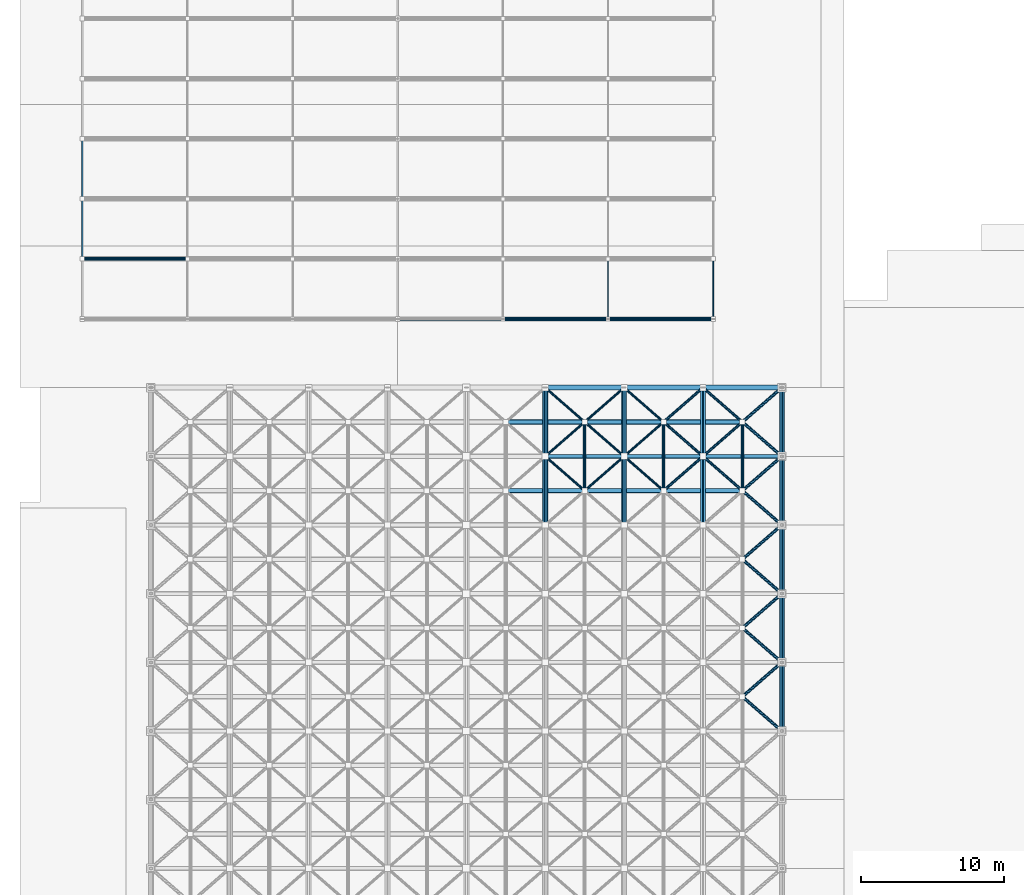
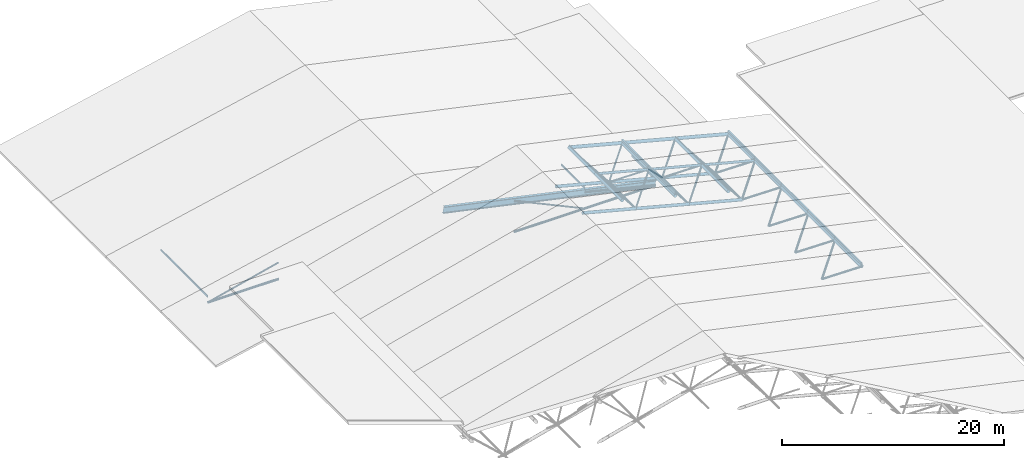
# One storey, part 13 of 60: 72 members, 1 beam.
"""IFC4 building model written with IfcOpenShell, lengths in metres."""

import ifcopenshell
import ifcopenshell.guid

model = None  # the IFC model being written
_history = None  # IfcOwnerHistory: only IFC2X3 demands one
_inside = {}  # id of a spatial element -> (the spatial element, [elements in it])
_under = {}  # id of a project, library or spatial element -> (it, [spatial elements below it])
_declared = {}  # id of a project -> (the project, [libraries it declares])
_typed = {}  # id of a type object -> (the type object, [elements of that type])
_made_of = {}  # id of a material, layer set ... -> (it, [elements and type objects made of it])


def new_model(schema):
    """Start an empty IFC model of exactly this schema.

    Asked for "IFC4X3", IfcOpenShell would pick the latest addendum, in which some entities
    have other attributes; the version numbers below select the first issue.
    IFC2X3 requires an IfcOwnerHistory on every rooted entity: one is made here for all.
    """
    global model, _history
    if schema == "IFC4X3":
        model = ifcopenshell.file(schema_version=(4, 3, 0, 0))
    else:
        model = ifcopenshell.file(schema=schema)
    _inside.clear()
    _under.clear()
    _declared.clear()
    _typed.clear()
    _made_of.clear()
    _history = None
    if model.schema == "IFC2X3":
        org = make("IfcOrganization", Name="unknown")
        user = make(
            "IfcPersonAndOrganization",
            ThePerson=make("IfcPerson", FamilyName="unknown"),
            TheOrganization=org,
        )
        app = make(
            "IfcApplication",
            ApplicationDeveloper=org,
            Version="unknown",
            ApplicationFullName="unknown",
            ApplicationIdentifier="unknown",
        )
        _history = make(
            "IfcOwnerHistory",
            OwningUser=user,
            OwningApplication=app,
            ChangeAction="ADDED",
            CreationDate=0,
        )
    return model


def make(cls, **values):
    """One entity of the class cls with the attributes given. An attribute that is None is left unset."""
    return model.create_entity(
        cls, **{name: value for name, value in values.items() if value is not None}
    )


def rooted(cls, **values):
    """An entity with a GlobalId (a new one), such as an element, a storey or a relation."""
    return make(cls, GlobalId=ifcopenshell.guid.new(), OwnerHistory=_history, **values)


def si_unit(unit_type, name, prefix=None):
    """IfcSIUnit, for example si_unit("LENGTHUNIT", "METRE", prefix="MILLI")."""
    return make("IfcSIUnit", UnitType=unit_type, Prefix=prefix, Name=name)


def assignment(units):
    """IfcUnitAssignment: the units of a project."""
    return None if units is None else make("IfcUnitAssignment", Units=units)


def point(xyz):
    """IfcCartesianPoint."""
    return None if xyz is None else make("IfcCartesianPoint", Coordinates=xyz)


def direction(xyz):
    """IfcDirection."""
    return None if xyz is None else make("IfcDirection", DirectionRatios=xyz)


def frame(location, z_axis=None, x_axis=None):
    """IfcAxis2Placement3D, a coordinate frame: its origin and axes. An axis left out is left unset."""
    return make(
        "IfcAxis2Placement3D",
        Location=point(location),
        Axis=direction(z_axis),
        RefDirection=direction(x_axis),
    )


def frame_2d(location, x_axis=None):
    """IfcAxis2Placement2D, a coordinate frame in the plane: its origin and x axis."""
    return make(
        "IfcAxis2Placement2D", Location=point(location), RefDirection=direction(x_axis)
    )


def origin():
    """The frame at (0, 0, 0) with its axes left unset."""
    return frame((0.0, 0.0, 0.0))


def origin_2d():
    """The frame at (0, 0) in the plane with its x axis left unset."""
    return frame_2d((0.0, 0.0))


def place(relative_to, where):
    """IfcLocalPlacement: puts the frame where relative to a parent placement (None: the world)."""
    return make(
        "IfcLocalPlacement", PlacementRelTo=relative_to, RelativePlacement=where
    )


def context(
    kind, dimensions, precision=None, world=None, true_north=None, identifier=None
):
    """IfcGeometricRepresentationContext, for example the 3D "Model" context."""
    return make(
        "IfcGeometricRepresentationContext",
        ContextIdentifier=identifier,
        ContextType=kind,
        CoordinateSpaceDimension=dimensions,
        Precision=precision,
        WorldCoordinateSystem=world,
        TrueNorth=true_north,
    )


def subcontext(parent, identifier, kind, view, scale=None):
    """IfcGeometricRepresentationSubContext, for example "Body" below "Model"."""
    return make(
        "IfcGeometricRepresentationSubContext",
        ContextIdentifier=identifier,
        ContextType=kind,
        ParentContext=parent,
        TargetScale=scale,
        TargetView=view,
    )


def project(units=None, contexts=None):
    """IfcProject with its units and contexts."""
    return rooted(
        "IfcProject",
        Name="project",
        RepresentationContexts=contexts,
        UnitsInContext=assignment(units),
    )


def spatial(cls, under=None, at=None, **own):
    """A site, building, storey or space (cls), placed at a placement, below another one or the project."""
    s = rooted(cls, ObjectPlacement=at, **own)
    if under is not None:
        _under.setdefault(under.id(), (under, []))[1].append(s)
    return s


def profile(cls, at=None, kind="AREA", **sizes):
    """A parametric profile (cls). Its sizes go by their IFC names, for example OverallWidth=200.0."""
    return make(cls, ProfileType=kind, Position=at, **sizes)


def hollow_rectangle(**sizes):
    """IfcRectangleHollowProfileDef."""
    return profile("IfcRectangleHollowProfileDef", **sizes)


def hollow_circle(**sizes):
    """IfcCircleHollowProfileDef."""
    return profile("IfcCircleHollowProfileDef", **sizes)


def i_section(**sizes):
    """IfcIShapeProfileDef."""
    return profile("IfcIShapeProfileDef", **sizes)


def extrude(swept, where, along, depth):
    """IfcExtrudedAreaSolid: the profile swept, set in the frame where, extruded along a direction by depth."""
    return make(
        "IfcExtrudedAreaSolid",
        SweptArea=swept,
        Position=where,
        ExtrudedDirection=direction(along),
        Depth=depth,
    )


def shape(context_of_items, identifier, shape_type, items):
    """IfcShapeRepresentation: the items that make up one representation, for example the "Body"."""
    return make(
        "IfcShapeRepresentation",
        ContextOfItems=context_of_items,
        RepresentationIdentifier=identifier,
        RepresentationType=shape_type,
        Items=items,
    )


def material(Name=None, Category=None):
    """IfcMaterial."""
    return make("IfcMaterial", Name=Name, Category=Category)


def material_profile(
    of_material, cross_section, Name=None, Category=None, Priority=None
):
    """IfcMaterialProfile: a cross section and its material."""
    return make(
        "IfcMaterialProfile",
        Name=Name,
        Material=of_material,
        Profile=cross_section,
        Priority=Priority,
        Category=Category,
    )


def profile_set(profiles, Name=None, composite=None):
    """IfcMaterialProfileSet."""
    return make(
        "IfcMaterialProfileSet",
        Name=Name,
        MaterialProfiles=profiles,
        CompositeProfile=composite,
    )


def made_of(thing, what):
    """Note that an element or type object is made of a material, layer set ...; save() writes the relation."""
    if what is not None:
        _made_of.setdefault(what.id(), (what, []))[1].append(thing)
    return thing


def type_object(cls, material=None, **own):
    """A type object (cls), such as IfcWallType, which elements share."""
    return made_of(rooted(cls, **own), material)


def element(
    cls,
    number,
    at=None,
    inside=None,
    cuts=None,
    type_object=None,
    material=None,
    context=None,
    identifier="Body",
    shape_type=None,
    held_by="IfcProductDefinitionShape",
    body=None,
    shapes=None,
    **own,
):
    """One element of the class cls, such as IfcWall. Its Tag is "e" and its number.

    at: its placement. inside: the storey or other place that contains it. cuts: it is an
    opening in that element (IfcRelVoidsElement). A single representation is given by context,
    identifier, shape_type and body (its items); several are given by shapes. held_by: the class
    of the entity that holds the representations. save() writes the other relations.
    """
    e = rooted(cls, Tag="e%d" % number, ObjectPlacement=at, **own)
    if body is not None:
        shapes = [shape(context, identifier, shape_type, body)]
    if shapes is not None:
        e.Representation = make(held_by, Representations=shapes)
    if inside is not None:
        _inside.setdefault(inside.id(), (inside, []))[1].append(e)
    if cuts is not None:
        rooted(
            "IfcRelVoidsElement", RelatingBuildingElement=cuts, RelatedOpeningElement=e
        )
    if type_object is not None:
        _typed.setdefault(type_object.id(), (type_object, []))[1].append(e)
    return made_of(e, material)


def aggregate(whole, parts):
    """IfcRelAggregates: a whole, such as a stair, and the parts it consists of."""
    return rooted("IfcRelAggregates", RelatingObject=whole, RelatedObjects=parts)


def save(model, path):
    """Write the relations noted so far, then the file.

    IfcRelAggregates (storeys below a building ...), IfcRelContainedInSpatialStructure (elements
    in a storey), IfcRelDefinesByType, IfcRelAssociatesMaterial and IfcRelDeclares: one each for
    every whole, place, type object, material and project.
    """
    for whole, parts in _under.values():
        aggregate(whole, parts)
    for where, things in _inside.values():
        rooted(
            "IfcRelContainedInSpatialStructure",
            RelatedElements=things,
            RelatingStructure=where,
        )
    for kind, things in _typed.values():
        rooted("IfcRelDefinesByType", RelatedObjects=things, RelatingType=kind)
    for what, things in _made_of.values():
        rooted("IfcRelAssociatesMaterial", RelatedObjects=things, RelatingMaterial=what)
    for by, libraries in _declared.values():
        rooted("IfcRelDeclares", RelatingContext=by, RelatedDefinitions=libraries)
    model.write(path)


model = new_model("IFC4")

# Units and contexts
model_context = context("Model", 3, precision=1e-05, world=origin(), true_north=direction((0.0, 1.0)))
body_context = subcontext(model_context, "Body", "Model", "MODEL_VIEW")
ifc_project = project(units=[si_unit("LENGTHUNIT", "METRE"), si_unit("AREAUNIT", "SQUARE_METRE"), si_unit("VOLUMEUNIT", "CUBIC_METRE"), si_unit("PLANEANGLEUNIT", "RADIAN"), si_unit("MASSUNIT", "GRAM", prefix="KILO")], contexts=[model_context])

# Site, building, storey
site_placement = place(None, origin())
site = spatial("IfcSite", under=ifc_project, at=site_placement, CompositionType="ELEMENT")
building_placement = place(site_placement, origin())
building = spatial("IfcBuilding", under=site, at=building_placement, Name="Nakhvara Creek Congress Hotel", CompositionType="ELEMENT")
storey_placement = place(building_placement, frame((0.0, 0.0, 54.60009765625)))
storey = spatial("IfcBuildingStorey", under=building, at=storey_placement, Name="RL1", CompositionType="ELEMENT", Elevation=54.60009765625)

# Beam
ifc_material_1 = material(Name="Steel S355J2", Category="steel")
ifc_material_profile_1 = material_profile(ifc_material_1, i_section(OverallWidth=0.300048828125, OverallDepth=0.699951171875, WebThickness=0.01708984375, FlangeThickness=0.031982421875, FilletRadius=0.027099609375, at=origin_2d()), Name="HEB 700", Category="LoadBearing")
ifc_profile_set_1 = profile_set([ifc_material_profile_1], Name="Steel S355J2")
beam_type = type_object("IfcBeamType", Name="BM-ST-HEB700", PredefinedType="BEAM", material=ifc_profile_set_1)
beam_placement = place(storey_placement, frame((26.39990234375, 91.199951171875, -36.880126953125), z_axis=(0.977115981717, 0.0, -0.212707212557), x_axis=(0.0, 1.0, 0.0)))
element("IfcBeam", 1, at=beam_placement, inside=storey, type_object=beam_type, Name="Ballroom Roof Truss East Rafter 01", PredefinedType="BEAM", context=body_context, shape_type="SweptSolid", body=[
    extrude(i_section(OverallWidth=0.300048828125, OverallDepth=0.699951171875, WebThickness=0.01708984375, FlangeThickness=0.031982421875, FilletRadius=0.027099609375, at=origin_2d()), origin(), (0.0, 0.0, 1.0), 22.56640625),
])

# Members
ifc_material_2 = material(Name="Steel S355J2H", Category="steel")
ifc_material_profile_2 = material_profile(ifc_material_2, hollow_circle(Radius=0.084228515625, WallThickness=0.008056640625, at=origin_2d()), Name="CHS 168.3x8.0", Category="LoadBearing")
ifc_profile_set_2 = profile_set([ifc_material_profile_2], Name="Steel S355J2H")
member_type_1 = type_object("IfcMemberType", Name="MEM-BRC-CHS168", PredefinedType="BRACE", material=ifc_profile_set_2)
member_1_placement = place(storey_placement, frame((41.10009765625, 91.199951171875, -41.89013671875), z_axis=(-0.907121554774, 0.0, 0.420868726403), x_axis=(0.0, -1.0, 0.0)))
element("IfcMember", 2, at=member_1_placement, inside=storey, type_object=member_type_1, Name="Ballroom Roof Truss Web Brace 01.5", PredefinedType="BRACE", context=body_context, shape_type="SweptSolid", body=[
    extrude(hollow_circle(Radius=0.084228515625, WallThickness=0.008056640625, at=origin_2d()), origin(), (0.0, 0.0, 1.0), 8.1025390625),
])
for number, where, z_axis, x_axis, name in (
    (3, (48.449951171875, 91.199951171875, -41.89013671875), (-0.970988385027, 0.0, 0.239126652934), (0.0, -1.0, 0.0), "Ballroom Roof Truss Web Brace 01.6"),
    (4, (4.35009765625, 95.39990234375, -41.89013671875), (0.970988385027, 0.0, 0.239126652934), (0.0, 1.0, 0.0), "Ballroom Roof Truss Web Brace 02.1"),
):
    element("IfcMember", number, at=place(storey_placement, frame(where, z_axis=z_axis, x_axis=x_axis)), inside=storey, type_object=member_type_1, Name=name, PredefinedType="BRACE", context=body_context, shape_type="SweptSolid", body=[
        extrude(hollow_circle(Radius=0.084228515625, WallThickness=0.008056640625, at=origin_2d()), origin(), (0.0, 0.0, 1.0), 7.5693359375),
    ])
ifc_material_profile_3 = material_profile(ifc_material_2, hollow_circle(Radius=0.084228515625, WallThickness=0.010009765625, at=origin_2d()), Name="CHS 168.3x10.0", Category="LoadBearing")
ifc_profile_set_3 = profile_set([ifc_material_profile_3], Name="Steel S355J2H")
member_type_2 = type_object("IfcMemberType", Name="MEM-BRC-CHS168H", PredefinedType="BRACE", material=ifc_profile_set_3)
member_2_placement = place(storey_placement, frame((39.46875, 79.199951171875, -34.050048828125), z_axis=(-0.558223547657, 0.486084649868, 0.672389904746), x_axis=(-0.656696195101, -0.754155227616, 0.0)))
element("IfcMember", 5, at=member_2_placement, inside=storey, type_object=member_type_2, Name="Congress Space Frame Web Diagonal 0653", PredefinedType="BRACE", context=body_context, shape_type="SweptSolid", body=[
    extrude(hollow_circle(Radius=0.084228515625, WallThickness=0.010009765625, at=origin_2d()), origin(), (0.0, 0.0, 1.0), 4.937744140625),
])
member_3_placement = place(storey_placement, frame((39.46875, 79.199951171875, -34.050048828125), z_axis=(0.670643902083, 0.583976988608, 0.45739220957), x_axis=(-0.656696195101, 0.754155227616, 0.0)))
element("IfcMember", 6, at=member_3_placement, inside=storey, type_object=member_type_2, Name="Congress Space Frame Web Diagonal 0654", PredefinedType="BRACE", context=body_context, shape_type="SweptSolid", body=[
    extrude(hollow_circle(Radius=0.084228515625, WallThickness=0.010009765625, at=origin_2d()), origin(), (0.0, 0.0, 1.0), 4.110107421875),
])
for number, where, z_axis, x_axis, name in (
    (7, (44.981201171875, 79.199951171875, -35.489990234375), (-0.558208068284, 0.486114227947, 0.672381372355), (-0.656729278158, -0.754126418587, 0.0), "Congress Space Frame Web Diagonal 0659"),
    (8, (39.46875, 84.0, -34.050048828125), (-0.558236963804, -0.486046886997, 0.672406064728), (0.656658200939, -0.754188310132, 0.0), "Congress Space Frame Web Diagonal 0692"),
):
    element("IfcMember", number, at=place(storey_placement, frame(where, z_axis=z_axis, x_axis=x_axis)), inside=storey, type_object=member_type_2, Name=name, PredefinedType="BRACE", context=body_context, shape_type="SweptSolid", body=[
        extrude(hollow_circle(Radius=0.084228515625, WallThickness=0.010009765625, at=origin_2d()), origin(), (0.0, 0.0, 1.0), 4.9375),
    ])
member_4_placement = place(storey_placement, frame((39.46875, 84.0, -34.050048828125), z_axis=(0.670667166184, -0.583937842656, 0.457408076139), x_axis=(0.656658200939, 0.754188310132, 0.0)))
element("IfcMember", 9, at=member_4_placement, inside=storey, type_object=member_type_2, Name="Congress Space Frame Web Diagonal 0693", PredefinedType="BRACE", context=body_context, shape_type="SweptSolid", body=[
    extrude(hollow_circle(Radius=0.084228515625, WallThickness=0.010009765625, at=origin_2d()), origin(), (0.0, 0.0, 1.0), 4.10986328125),
])
member_5_placement = place(storey_placement, frame((39.46875, 84.0, -34.050048828125), z_axis=(-0.558236963804, 0.486046886997, 0.672406064728), x_axis=(-0.656658200939, -0.754188310132, 0.0)))
element("IfcMember", 10, at=member_5_placement, inside=storey, type_object=member_type_2, Name="Congress Space Frame Web Diagonal 0694", PredefinedType="BRACE", context=body_context, shape_type="SweptSolid", body=[
    extrude(hollow_circle(Radius=0.084228515625, WallThickness=0.010009765625, at=origin_2d()), origin(), (0.0, 0.0, 1.0), 4.9375),
])
member_6_placement = place(storey_placement, frame((39.46875, 84.0, -34.050048828125), z_axis=(0.670667166184, 0.583937842656, 0.457408076139), x_axis=(-0.656658200939, 0.754188310132, 0.0)))
element("IfcMember", 11, at=member_6_placement, inside=storey, type_object=member_type_2, Name="Congress Space Frame Web Diagonal 0695", PredefinedType="BRACE", context=body_context, shape_type="SweptSolid", body=[
    extrude(hollow_circle(Radius=0.084228515625, WallThickness=0.010009765625, at=origin_2d()), origin(), (0.0, 0.0, 1.0), 4.10986328125),
])
for number, where, z_axis, x_axis, name in (
    (12, (44.981201171875, 84.0, -35.489990234375), (-0.558221485692, -0.4860764642, 0.672397534099), (0.656691284984, -0.754159503173, 0.0), "Congress Space Frame Web Diagonal 0697"),
    (13, (44.981201171875, 84.0, -35.489990234375), (-0.558221485692, 0.4860764642, 0.672397534099), (-0.656691284984, -0.754159503173, 0.0), "Congress Space Frame Web Diagonal 0699"),
):
    element("IfcMember", number, at=place(storey_placement, frame(where, z_axis=z_axis, x_axis=x_axis)), inside=storey, type_object=member_type_2, Name=name, PredefinedType="BRACE", context=body_context, shape_type="SweptSolid", body=[
        extrude(hollow_circle(Radius=0.084228515625, WallThickness=0.010009765625, at=origin_2d()), origin(), (0.0, 0.0, 1.0), 4.937255859375),
    ])
ifc_material_profile_4 = material_profile(ifc_material_2, hollow_circle(Radius=0.096923828125, WallThickness=0.010009765625, at=origin_2d()), Name="CHS 193.7x10.0", Category="LoadBearing")
ifc_profile_set_4 = profile_set([ifc_material_profile_4], Name="Steel S355J2H")
member_type_3 = type_object("IfcMemberType", Name="MEM-BRC-CHS193", PredefinedType="BRACE", material=ifc_profile_set_4)
member_7_placement = place(storey_placement, frame((44.981201171875, 79.199951171875, -35.489990234375), z_axis=(0.670643902083, 0.583976988608, 0.45739220957), x_axis=(-0.656696195101, 0.754155227616, 0.0)))
element("IfcMember", 14, at=member_7_placement, inside=storey, type_object=member_type_3, Name="Congress Space Frame Web Diagonal 0660", PredefinedType="BRACE", context=body_context, shape_type="SweptSolid", body=[
    extrude(hollow_circle(Radius=0.096923828125, WallThickness=0.010009765625, at=origin_2d()), origin(), (0.0, 0.0, 1.0), 4.110107421875),
])
member_8_placement = place(storey_placement, frame((50.49365234375, 79.199951171875, -36.93017578125), z_axis=(-0.558189509619, 0.486098066176, 0.672408463221), x_axis=(-0.656729278158, -0.754126418587, 0.0)))
element("IfcMember", 15, at=member_8_placement, inside=storey, type_object=member_type_3, Name="Congress Space Frame Web Diagonal 0664", PredefinedType="BRACE", context=body_context, shape_type="SweptSolid", body=[
    extrude(hollow_circle(Radius=0.096923828125, WallThickness=0.010009765625, at=origin_2d()), origin(), (0.0, 0.0, 1.0), 4.9375),
])
for number, where, z_axis, x_axis, name in (
    (16, (44.981201171875, 84.0, -35.489990234375), (0.670667166184, -0.583937842656, 0.457408076139), (0.656658200939, 0.754188310132, 0.0), "Congress Space Frame Web Diagonal 0698"),
    (17, (44.981201171875, 84.0, -35.489990234375), (0.670667166184, 0.583937842656, 0.457408076139), (-0.656658200939, 0.754188310132, 0.0), "Congress Space Frame Web Diagonal 0700"),
):
    element("IfcMember", number, at=place(storey_placement, frame(where, z_axis=z_axis, x_axis=x_axis)), inside=storey, type_object=member_type_3, Name=name, PredefinedType="BRACE", context=body_context, shape_type="SweptSolid", body=[
        extrude(hollow_circle(Radius=0.096923828125, WallThickness=0.010009765625, at=origin_2d()), origin(), (0.0, 0.0, 1.0), 4.10986328125),
    ])
for number, where, z_axis, x_axis, name in (
    (18, (50.49365234375, 84.0, -36.93017578125), (-0.558202925689, -0.486060302908, 0.672424624541), (0.656691284984, -0.754159503173, 0.0), "Congress Space Frame Web Diagonal 0701"),
    (19, (50.49365234375, 84.0, -36.93017578125), (-0.558202925689, 0.486060302908, 0.672424624541), (-0.656691284984, -0.754159503173, 0.0), "Congress Space Frame Web Diagonal 0703"),
):
    element("IfcMember", number, at=place(storey_placement, frame(where, z_axis=z_axis, x_axis=x_axis)), inside=storey, type_object=member_type_3, Name=name, PredefinedType="BRACE", context=body_context, shape_type="SweptSolid", body=[
        extrude(hollow_circle(Radius=0.096923828125, WallThickness=0.010009765625, at=origin_2d()), origin(), (0.0, 0.0, 1.0), 4.9375),
    ])
ifc_material_profile_5 = material_profile(ifc_material_2, hollow_circle(Radius=0.109619140625, WallThickness=0.010009765625, at=origin_2d()), Name="CHS 219.1x10.0", Category="LoadBearing")
ifc_profile_set_5 = profile_set([ifc_material_profile_5], Name="Steel S355J2H")
member_type_4 = type_object("IfcMemberType", Name="MEM-BRC-CHS219", PredefinedType="BRACE", material=ifc_profile_set_5)
member_9_placement = place(storey_placement, frame((50.49365234375, 64.800048828125, -36.93017578125), z_axis=(0.670625680367, -0.583961121673, 0.457439181976), x_axis=(0.656696195101, 0.754155227616, 0.0)))
element("IfcMember", 20, at=member_9_placement, inside=storey, type_object=member_type_4, Name="Congress Space Frame Web Diagonal 0522", PredefinedType="BRACE", context=body_context, shape_type="SweptSolid", body=[
    extrude(hollow_circle(Radius=0.109619140625, WallThickness=0.010009765625, at=origin_2d()), origin(), (0.0, 0.0, 1.0), 4.110107421875),
])
member_10_placement = place(storey_placement, frame((50.49365234375, 64.800048828125, -36.93017578125), z_axis=(0.670648942571, 0.583921975684, 0.457455049313), x_axis=(-0.656658200939, 0.754188310132, 0.0)))
element("IfcMember", 21, at=member_10_placement, inside=storey, type_object=member_type_4, Name="Congress Space Frame Web Diagonal 0524", PredefinedType="BRACE", context=body_context, shape_type="SweptSolid", body=[
    extrude(hollow_circle(Radius=0.109619140625, WallThickness=0.010009765625, at=origin_2d()), origin(), (0.0, 0.0, 1.0), 4.10986328125),
])
member_11_placement = place(storey_placement, frame((50.49365234375, 69.60009765625, -36.93017578125), z_axis=(0.670625680367, -0.583961121673, 0.457439181976), x_axis=(0.656696195101, 0.754155227616, 0.0)))
element("IfcMember", 22, at=member_11_placement, inside=storey, type_object=member_type_4, Name="Congress Space Frame Web Diagonal 0569", PredefinedType="BRACE", context=body_context, shape_type="SweptSolid", body=[
    extrude(hollow_circle(Radius=0.109619140625, WallThickness=0.010009765625, at=origin_2d()), origin(), (0.0, 0.0, 1.0), 4.110107421875),
])
for number, where, z_axis, x_axis, name in (
    (23, (50.49365234375, 69.60009765625, -36.93017578125), (0.670648942571, 0.583921975684, 0.457455049313), (-0.656658200939, 0.754188310132, 0.0), "Congress Space Frame Web Diagonal 0571"),
    (24, (50.49365234375, 74.39990234375, -36.93017578125), (0.670648942571, -0.583921975684, 0.457455049313), (0.656658200939, 0.754188310132, 0.0), "Congress Space Frame Web Diagonal 0616"),
):
    element("IfcMember", number, at=place(storey_placement, frame(where, z_axis=z_axis, x_axis=x_axis)), inside=storey, type_object=member_type_4, Name=name, PredefinedType="BRACE", context=body_context, shape_type="SweptSolid", body=[
        extrude(hollow_circle(Radius=0.109619140625, WallThickness=0.010009765625, at=origin_2d()), origin(), (0.0, 0.0, 1.0), 4.10986328125),
    ])
member_12_placement = place(storey_placement, frame((50.49365234375, 74.39990234375, -36.93017578125), z_axis=(0.670625680367, 0.583961121673, 0.457439181976), x_axis=(-0.656696195101, 0.754155227616, 0.0)))
element("IfcMember", 25, at=member_12_placement, inside=storey, type_object=member_type_4, Name="Congress Space Frame Web Diagonal 0618", PredefinedType="BRACE", context=body_context, shape_type="SweptSolid", body=[
    extrude(hollow_circle(Radius=0.109619140625, WallThickness=0.010009765625, at=origin_2d()), origin(), (0.0, 0.0, 1.0), 4.110107421875),
])
member_13_placement = place(storey_placement, frame((50.49365234375, 79.199951171875, -36.93017578125), z_axis=(0.670648942571, -0.583921975684, 0.457455049313), x_axis=(0.656658200939, 0.754188310132, 0.0)))
element("IfcMember", 26, at=member_13_placement, inside=storey, type_object=member_type_4, Name="Congress Space Frame Web Diagonal 0663", PredefinedType="BRACE", context=body_context, shape_type="SweptSolid", body=[
    extrude(hollow_circle(Radius=0.109619140625, WallThickness=0.010009765625, at=origin_2d()), origin(), (0.0, 0.0, 1.0), 4.10986328125),
])
member_14_placement = place(storey_placement, frame((50.49365234375, 79.199951171875, -36.93017578125), z_axis=(0.670625680367, 0.583961121673, 0.457439181976), x_axis=(-0.656696195101, 0.754155227616, 0.0)))
element("IfcMember", 27, at=member_14_placement, inside=storey, type_object=member_type_4, Name="Congress Space Frame Web Diagonal 0665", PredefinedType="BRACE", context=body_context, shape_type="SweptSolid", body=[
    extrude(hollow_circle(Radius=0.109619140625, WallThickness=0.010009765625, at=origin_2d()), origin(), (0.0, 0.0, 1.0), 4.110107421875),
])
for number, where, z_axis, x_axis, name in (
    (28, (50.49365234375, 84.0, -36.93017578125), (0.670648942571, -0.583921975684, 0.457455049313), (0.656658200939, 0.754188310132, 0.0), "Congress Space Frame Web Diagonal 0702"),
    (29, (50.49365234375, 84.0, -36.93017578125), (0.670648942571, 0.583921975684, 0.457455049313), (-0.656658200939, 0.754188310132, 0.0), "Congress Space Frame Web Diagonal 0704"),
):
    element("IfcMember", number, at=place(storey_placement, frame(where, z_axis=z_axis, x_axis=x_axis)), inside=storey, type_object=member_type_4, Name=name, PredefinedType="BRACE", context=body_context, shape_type="SweptSolid", body=[
        extrude(hollow_circle(Radius=0.109619140625, WallThickness=0.010009765625, at=origin_2d()), origin(), (0.0, 0.0, 1.0), 4.10986328125),
    ])
ifc_material_profile_6 = material_profile(ifc_material_2, hollow_circle(Radius=0.109619140625, WallThickness=0.012451171875, at=origin_2d()), Name="CHS 219.1x12.5", Category="LoadBearing")
ifc_profile_set_6 = profile_set([ifc_material_profile_6], Name="Steel S355J2H")
member_type_5 = type_object("IfcMemberType", Name="MEM-CHD-CHS219H", PredefinedType="CHORD", material=ifc_profile_set_6)
for number, where, z_axis, x_axis, name in (
    (30, (39.46875, 79.199951171875, -34.050048828125), (0.0, 1.0, 0.0), (-1.0, 0.0, 0.0), "Congress Roof Truss Bottom Tie 0650"),
    (31, (44.981201171875, 79.199951171875, -35.489990234375), (0.0, 1.0, 0.0), (-1.0, 0.0, 0.0), "Congress Roof Truss Bottom Tie 0656"),
    (32, (50.49365234375, 79.199951171875, -36.93017578125), (0.0, 1.0, 0.0), (-1.0, 0.0, 0.0), "Congress Roof Truss Bottom Tie 0661"),
):
    element("IfcMember", number, at=place(storey_placement, frame(where, z_axis=z_axis, x_axis=x_axis)), inside=storey, type_object=member_type_5, Name=name, PredefinedType="CHORD", context=body_context, shape_type="SweptSolid", body=[
        extrude(hollow_circle(Radius=0.109619140625, WallThickness=0.012451171875, at=origin_2d()), origin(), (0.0, 0.0, 1.0), 4.800048828125),
    ])
ifc_material_profile_7 = material_profile(ifc_material_2, hollow_circle(Radius=0.122314453125, WallThickness=0.012451171875, at=origin_2d()), Name="CHS 244.5x12.5", Category="LoadBearing")
ifc_profile_set_7 = profile_set([ifc_material_profile_7], Name="Steel S355J2H")
member_type_6 = type_object("IfcMemberType", Name="MEM-CHD-CHS244", PredefinedType="CHORD", material=ifc_profile_set_7)
member_15_placement = place(storey_placement, frame((33.75, 91.199951171875, -41.89013671875), z_axis=(1.0, 0.0, 0.0), x_axis=(0.0, 1.0, 0.0)))
element("IfcMember", 33, at=member_15_placement, inside=storey, type_object=member_type_6, Name="Ballroom Roof Truss Bottom Chord 01.5", PredefinedType="CHORD", context=body_context, shape_type="SweptSolid", body=[
    extrude(hollow_circle(Radius=0.122314453125, WallThickness=0.012451171875, at=origin_2d()), origin(), (0.0, 0.0, 1.0), 7.35009765625),
])
for number, where, z_axis, x_axis, name in (
    (34, (41.10009765625, 91.199951171875, -41.89013671875), (1.0, 0.0, 0.0), (0.0, 1.0, 0.0), "Ballroom Roof Truss Bottom Chord 01.6"),
    (35, (4.35009765625, 95.39990234375, -41.89013671875), (1.0, 0.0, 0.0), (0.0, 1.0, 0.0), "Ballroom Roof Truss Bottom Chord 02.1"),
):
    element("IfcMember", number, at=place(storey_placement, frame(where, z_axis=z_axis, x_axis=x_axis)), inside=storey, type_object=member_type_6, Name=name, PredefinedType="CHORD", context=body_context, shape_type="SweptSolid", body=[
        extrude(hollow_circle(Radius=0.122314453125, WallThickness=0.012451171875, at=origin_2d()), origin(), (0.0, 0.0, 1.0), 7.349853515625),
    ])
ifc_material_profile_8 = material_profile(ifc_material_2, hollow_circle(Radius=0.136474609375, WallThickness=0.01611328125, at=origin_2d()), Name="CHS 273.0x16.0", Category="LoadBearing")
ifc_profile_set_8 = profile_set([ifc_material_profile_8], Name="Steel S355J2H")
member_type_7 = type_object("IfcMemberType", Name="MEM-CHD-CHS273H", PredefinedType="CHORD", material=ifc_profile_set_8)
member_16_placement = place(storey_placement, frame((36.71240234375, 81.60009765625, -30.72998046875), z_axis=(0.967527570021, 0.0, -0.252765506446), x_axis=(0.0, 1.0, 0.0)))
element("IfcMember", 36, at=member_16_placement, inside=storey, type_object=member_type_7, Name="Congress Space Frame Top Chord 0181", PredefinedType="CHORD", context=body_context, shape_type="SweptSolid", body=[
    extrude(hollow_circle(Radius=0.136474609375, WallThickness=0.01611328125, at=origin_2d()), origin(), (0.0, 0.0, 1.0), 5.69775390625),
])
for number, where, z_axis, x_axis, name in (
    (37, (42.22509765625, 81.60009765625, -32.170166015625), (0.967535311358, 0.0, -0.252735872554), (0.0, 1.0, 0.0), "Congress Space Frame Top Chord 0183"),
    (38, (47.737548828125, 81.60009765625, -33.610107421875), (0.967535311358, 0.0, -0.252735872554), (0.0, 1.0, 0.0), "Congress Space Frame Top Chord 0185"),
):
    element("IfcMember", number, at=place(storey_placement, frame(where, z_axis=z_axis, x_axis=x_axis)), inside=storey, type_object=member_type_7, Name=name, PredefinedType="CHORD", context=body_context, shape_type="SweptSolid", body=[
        extrude(hollow_circle(Radius=0.136474609375, WallThickness=0.01611328125, at=origin_2d()), origin(), (0.0, 0.0, 1.0), 5.697509765625),
    ])
ifc_material_profile_9 = material_profile(ifc_material_2, hollow_circle(Radius=0.161865234375, WallThickness=0.012451171875, at=origin_2d()), Name="CHS 323.9x12.5", Category="LoadBearing")
ifc_profile_set_9 = profile_set([ifc_material_profile_9], Name="Steel S355J2H")
member_type_8 = type_object("IfcMemberType", Name="MEM-CHD-CHS324", PredefinedType="CHORD", material=ifc_profile_set_9)
for number, where, z_axis, x_axis, name in (
    (39, (33.956298828125, 79.199951171875, -32.610107421875), (0.967535311358, 0.0, -0.252735872554), (0.0, 1.0, 0.0), "Congress Space Frame Bottom Chord 0643"),
    (40, (39.46875, 79.199951171875, -34.050048828125), (0.967535311358, 0.0, -0.252735872554), (0.0, 1.0, 0.0), "Congress Space Frame Bottom Chord 0649"),
    (41, (44.981201171875, 79.199951171875, -35.489990234375), (0.967524832219, 0.0, -0.252775985883), (0.0, 1.0, 0.0), "Congress Space Frame Bottom Chord 0655"),
    (42, (33.956298828125, 84.0, -32.610107421875), (0.967535311358, 0.0, -0.252735872554), (0.0, 1.0, 0.0), "Congress Space Frame Bottom Chord 0686"),
    (43, (39.46875, 84.0, -34.050048828125), (0.967535311358, 0.0, -0.252735872554), (0.0, 1.0, 0.0), "Congress Space Frame Bottom Chord 0691"),
    (44, (44.981201171875, 84.0, -35.489990234375), (0.967524832219, 0.0, -0.252775985883), (0.0, 1.0, 0.0), "Congress Space Frame Bottom Chord 0696"),
):
    element("IfcMember", number, at=place(storey_placement, frame(where, z_axis=z_axis, x_axis=x_axis)), inside=storey, type_object=member_type_8, Name=name, PredefinedType="CHORD", context=body_context, shape_type="SweptSolid", body=[
        extrude(hollow_circle(Radius=0.161865234375, WallThickness=0.012451171875, at=origin_2d()), origin(), (0.0, 0.0, 1.0), 5.697509765625),
    ])
ifc_material_profile_10 = material_profile(ifc_material_2, hollow_circle(Radius=0.177734375, WallThickness=0.01611328125, at=origin_2d()), Name="CHS 355.6x16.0", Category="LoadBearing")
ifc_profile_set_10 = profile_set([ifc_material_profile_10], Name="Steel S355J2H")
member_type_9 = type_object("IfcMemberType", Name="MEM-CHD-CHS355", PredefinedType="CHORD", material=ifc_profile_set_10)
for number, where, z_axis, x_axis, name in (
    (45, (53.25, 62.39990234375, -35.050048828125), (0.0, 1.0, 0.0), (-1.0, 0.0, 0.0), "Congress Roof Truss Longitudinal Chord 0119"),
    (46, (53.25, 67.199951171875, -35.050048828125), (0.0, 1.0, 0.0), (-1.0, 0.0, 0.0), "Congress Roof Truss Longitudinal Chord 0136"),
    (47, (53.25, 72.0, -35.050048828125), (0.0, 1.0, 0.0), (-1.0, 0.0, 0.0), "Congress Roof Truss Longitudinal Chord 0153"),
    (48, (36.71240234375, 76.800048828125, -30.72998046875), (0.0, 1.0, 0.0), (-1.0, 0.0, 0.0), "Congress Roof Truss Longitudinal Chord 0165"),
    (49, (42.22509765625, 76.800048828125, -32.170166015625), (0.0, 1.0, 0.0), (-1.0, 0.0, 0.0), "Congress Roof Truss Longitudinal Chord 0167"),
    (50, (47.737548828125, 76.800048828125, -33.610107421875), (0.0, 1.0, 0.0), (-1.0, 0.0, 0.0), "Congress Roof Truss Longitudinal Chord 0169"),
    (51, (53.25, 76.800048828125, -35.050048828125), (0.0, 1.0, 0.0), (-1.0, 0.0, 0.0), "Congress Roof Truss Longitudinal Chord 0170"),
):
    element("IfcMember", number, at=place(storey_placement, frame(where, z_axis=z_axis, x_axis=x_axis)), inside=storey, type_object=member_type_9, Name=name, PredefinedType="CHORD", context=body_context, shape_type="SweptSolid", body=[
        extrude(hollow_circle(Radius=0.177734375, WallThickness=0.01611328125, at=origin_2d()), origin(), (0.0, 0.0, 1.0), 4.800048828125),
    ])
for number, where, z_axis, x_axis, name in (
    (52, (36.71240234375, 81.60009765625, -30.72998046875), (0.0, 1.0, 0.0), (-1.0, 0.0, 0.0), "Congress Roof Truss Longitudinal Chord 0182"),
    (53, (42.22509765625, 81.60009765625, -32.170166015625), (0.0, 1.0, 0.0), (-1.0, 0.0, 0.0), "Congress Roof Truss Longitudinal Chord 0184"),
    (54, (47.737548828125, 81.60009765625, -33.610107421875), (0.0, 1.0, 0.0), (-1.0, 0.0, 0.0), "Congress Roof Truss Longitudinal Chord 0186"),
    (55, (53.25, 81.60009765625, -35.050048828125), (0.0, 1.0, 0.0), (-1.0, 0.0, 0.0), "Congress Roof Truss Longitudinal Chord 0187"),
):
    element("IfcMember", number, at=place(storey_placement, frame(where, z_axis=z_axis, x_axis=x_axis)), inside=storey, type_object=member_type_9, Name=name, PredefinedType="CHORD", context=body_context, shape_type="SweptSolid", body=[
        extrude(hollow_circle(Radius=0.177734375, WallThickness=0.01611328125, at=origin_2d()), origin(), (0.0, 0.0, 1.0), 4.7998046875),
    ])
member_17_placement = place(storey_placement, frame((36.71240234375, 86.39990234375, -30.72998046875), z_axis=(0.967527570021, 0.0, -0.252765506446), x_axis=(0.0, 1.0, 0.0)))
element("IfcMember", 56, at=member_17_placement, inside=storey, type_object=member_type_9, Name="Congress Space Frame Top Chord 0193", PredefinedType="CHORD", context=body_context, shape_type="SweptSolid", body=[
    extrude(hollow_circle(Radius=0.177734375, WallThickness=0.01611328125, at=origin_2d()), origin(), (0.0, 0.0, 1.0), 5.69775390625),
])
for number, where, z_axis, x_axis, name in (
    (57, (42.22509765625, 86.39990234375, -32.170166015625), (0.967535311358, 0.0, -0.252735872554), (0.0, 1.0, 0.0), "Congress Space Frame Top Chord 0194"),
    (58, (47.737548828125, 86.39990234375, -33.610107421875), (0.967535311358, 0.0, -0.252735872554), (0.0, 1.0, 0.0), "Congress Space Frame Top Chord 0195"),
):
    element("IfcMember", number, at=place(storey_placement, frame(where, z_axis=z_axis, x_axis=x_axis)), inside=storey, type_object=member_type_9, Name=name, PredefinedType="CHORD", context=body_context, shape_type="SweptSolid", body=[
        extrude(hollow_circle(Radius=0.177734375, WallThickness=0.01611328125, at=origin_2d()), origin(), (0.0, 0.0, 1.0), 5.697509765625),
    ])
ifc_material_profile_11 = material_profile(ifc_material_2, hollow_rectangle(XDim=0.06005859375, YDim=0.1201171875, WallThickness=0.0048828125, InnerFilletRadius=0.0048828125, OuterFilletRadius=0.010009765625, at=origin_2d()), Name="RHS 120x60x5.0", Category="LoadBearing")
ifc_profile_set_11 = profile_set([ifc_material_profile_11], Name="Steel S355J2H")
member_type_10 = type_object("IfcMemberType", Name="MEM-PUR-RHS120", PredefinedType="PURLIN", material=ifc_profile_set_11)
member_18_placement = place(storey_placement, frame((36.71240234375, 76.800048828125, -30.498046875), z_axis=(0.0, 1.0, 0.0), x_axis=(-1.0, 0.0, 0.0)))
element("IfcMember", 59, at=member_18_placement, inside=storey, type_object=member_type_10, Name="Congress Roof Purlin 065", PredefinedType="PURLIN", context=body_context, shape_type="SweptSolid", body=[
    extrude(hollow_rectangle(XDim=0.06005859375, YDim=0.1201171875, WallThickness=0.0048828125, InnerFilletRadius=0.0048828125, OuterFilletRadius=0.010009765625, at=origin_2d()), origin(), (0.0, 0.0, 1.0), 4.800048828125),
])
member_19_placement = place(storey_placement, frame((36.71240234375, 81.60009765625, -30.498046875), z_axis=(0.0, 1.0, 0.0), x_axis=(-1.0, 0.0, 0.0)))
element("IfcMember", 60, at=member_19_placement, inside=storey, type_object=member_type_10, Name="Congress Roof Purlin 066", PredefinedType="PURLIN", context=body_context, shape_type="SweptSolid", body=[
    extrude(hollow_rectangle(XDim=0.06005859375, YDim=0.1201171875, WallThickness=0.0048828125, InnerFilletRadius=0.0048828125, OuterFilletRadius=0.010009765625, at=origin_2d()), origin(), (0.0, 0.0, 1.0), 4.7998046875),
])
member_20_placement = place(storey_placement, frame((47.737548828125, 76.800048828125, -33.378173828125), z_axis=(0.0, 1.0, 0.0), x_axis=(-1.0, 0.0, 0.0)))
element("IfcMember", 61, at=member_20_placement, inside=storey, type_object=member_type_10, Name="Congress Roof Purlin 087", PredefinedType="PURLIN", context=body_context, shape_type="SweptSolid", body=[
    extrude(hollow_rectangle(XDim=0.06005859375, YDim=0.1201171875, WallThickness=0.0048828125, InnerFilletRadius=0.0048828125, OuterFilletRadius=0.010009765625, at=origin_2d()), origin(), (0.0, 0.0, 1.0), 4.800048828125),
])
member_21_placement = place(storey_placement, frame((47.737548828125, 81.60009765625, -33.378173828125), z_axis=(0.0, 1.0, 0.0), x_axis=(-1.0, 0.0, 0.0)))
element("IfcMember", 62, at=member_21_placement, inside=storey, type_object=member_type_10, Name="Congress Roof Purlin 088", PredefinedType="PURLIN", context=body_context, shape_type="SweptSolid", body=[
    extrude(hollow_rectangle(XDim=0.06005859375, YDim=0.1201171875, WallThickness=0.0048828125, InnerFilletRadius=0.0048828125, OuterFilletRadius=0.010009765625, at=origin_2d()), origin(), (0.0, 0.0, 1.0), 4.7998046875),
])
ifc_material_profile_12 = material_profile(ifc_material_2, hollow_rectangle(XDim=0.10009765625, YDim=0.199951171875, WallThickness=0.008056640625, InnerFilletRadius=0.008056640625, OuterFilletRadius=0.01611328125, at=origin_2d()), Name="RHS 200x100x8.0", Category="LoadBearing")
ifc_profile_set_12 = profile_set([ifc_material_profile_12], Name="Steel S355J2H")
member_type_11 = type_object("IfcMemberType", Name="MEM-PUR-RHS200", PredefinedType="PURLIN", material=ifc_profile_set_12)
member_22_placement = place(storey_placement, frame((4.35009765625, 95.39990234375, -41.23388671875), z_axis=(0.0, 1.0, 0.0), x_axis=(-1.0, 0.0, 0.0)))
element("IfcMember", 63, at=member_22_placement, inside=storey, type_object=member_type_11, Name="Ballroom Roof Purlin 1.2", PredefinedType="PURLIN", context=body_context, shape_type="SweptSolid", body=[
    extrude(hollow_rectangle(XDim=0.10009765625, YDim=0.199951171875, WallThickness=0.008056640625, InnerFilletRadius=0.008056640625, OuterFilletRadius=0.01611328125, at=origin_2d()), origin(), (0.0, 0.0, 1.0), 4.2001953125),
])
for number, where, z_axis, x_axis, name in (
    (64, (4.35009765625, 99.60009765625, -41.23388671875), (0.0, 1.0, 0.0), (-1.0, 0.0, 0.0), "Ballroom Roof Purlin 1.3"),
    (65, (41.10009765625, 91.199951171875, -39.6337890625), (0.0, 1.0, 0.0), (-1.0, 0.0, 0.0), "Ballroom Roof Purlin 6.1"),
    (66, (48.449951171875, 91.199951171875, -41.23388671875), (0.0, 1.0, 0.0), (-1.0, 0.0, 0.0), "Ballroom Roof Purlin 7.1"),
):
    element("IfcMember", number, at=place(storey_placement, frame(where, z_axis=z_axis, x_axis=x_axis)), inside=storey, type_object=member_type_11, Name=name, PredefinedType="PURLIN", context=body_context, shape_type="SweptSolid", body=[
        extrude(hollow_rectangle(XDim=0.10009765625, YDim=0.199951171875, WallThickness=0.008056640625, InnerFilletRadius=0.008056640625, OuterFilletRadius=0.01611328125, at=origin_2d()), origin(), (0.0, 0.0, 1.0), 4.199951171875),
    ])
ifc_material_profile_13 = material_profile(ifc_material_2, hollow_rectangle(XDim=0.14990234375, YDim=0.25, WallThickness=0.010009765625, InnerFilletRadius=0.010009765625, OuterFilletRadius=0.02001953125, at=origin_2d()), Name="RHS 250x150x10.0", Category="LoadBearing")
ifc_profile_set_13 = profile_set([ifc_material_profile_13], Name="Steel S355J2H")
member_type_12 = type_object("IfcMemberType", Name="MEM-PUR-RHS250", PredefinedType="PURLIN", material=ifc_profile_set_13)
member_23_placement = place(storey_placement, frame((42.22509765625, 76.800048828125, -31.873046875), z_axis=(0.0, 1.0, 0.0), x_axis=(-1.0, 0.0, 0.0)))
element("IfcMember", 67, at=member_23_placement, inside=storey, type_object=member_type_12, Name="Congress Roof Purlin 076", PredefinedType="PURLIN", context=body_context, shape_type="SweptSolid", body=[
    extrude(hollow_rectangle(XDim=0.14990234375, YDim=0.25, WallThickness=0.010009765625, InnerFilletRadius=0.010009765625, OuterFilletRadius=0.02001953125, at=origin_2d()), origin(), (0.0, 0.0, 1.0), 4.800048828125),
])
member_24_placement = place(storey_placement, frame((42.22509765625, 81.60009765625, -31.873046875), z_axis=(0.0, 1.0, 0.0), x_axis=(-1.0, 0.0, 0.0)))
element("IfcMember", 68, at=member_24_placement, inside=storey, type_object=member_type_12, Name="Congress Roof Purlin 077", PredefinedType="PURLIN", context=body_context, shape_type="SweptSolid", body=[
    extrude(hollow_rectangle(XDim=0.14990234375, YDim=0.25, WallThickness=0.010009765625, InnerFilletRadius=0.010009765625, OuterFilletRadius=0.02001953125, at=origin_2d()), origin(), (0.0, 0.0, 1.0), 4.7998046875),
])
for number, where, z_axis, x_axis, name in (
    (69, (53.25, 62.39990234375, -34.753173828125), (0.0, 1.0, 0.0), (-1.0, 0.0, 0.0), "Congress Roof Purlin 095"),
    (70, (53.25, 67.199951171875, -34.753173828125), (0.0, 1.0, 0.0), (-1.0, 0.0, 0.0), "Congress Roof Purlin 096"),
    (71, (53.25, 72.0, -34.753173828125), (0.0, 1.0, 0.0), (-1.0, 0.0, 0.0), "Congress Roof Purlin 097"),
    (72, (53.25, 76.800048828125, -34.753173828125), (0.0, 1.0, 0.0), (-1.0, 0.0, 0.0), "Congress Roof Purlin 098"),
):
    element("IfcMember", number, at=place(storey_placement, frame(where, z_axis=z_axis, x_axis=x_axis)), inside=storey, type_object=member_type_12, Name=name, PredefinedType="PURLIN", context=body_context, shape_type="SweptSolid", body=[
        extrude(hollow_rectangle(XDim=0.14990234375, YDim=0.25, WallThickness=0.010009765625, InnerFilletRadius=0.010009765625, OuterFilletRadius=0.02001953125, at=origin_2d()), origin(), (0.0, 0.0, 1.0), 4.800048828125),
    ])
member_25_placement = place(storey_placement, frame((53.25, 81.60009765625, -34.753173828125), z_axis=(0.0, 1.0, 0.0), x_axis=(-1.0, 0.0, 0.0)))
element("IfcMember", 73, at=member_25_placement, inside=storey, type_object=member_type_12, Name="Congress Roof Purlin 099", PredefinedType="PURLIN", context=body_context, shape_type="SweptSolid", body=[
    extrude(hollow_rectangle(XDim=0.14990234375, YDim=0.25, WallThickness=0.010009765625, InnerFilletRadius=0.010009765625, OuterFilletRadius=0.02001953125, at=origin_2d()), origin(), (0.0, 0.0, 1.0), 4.7998046875),
])

save(model, "model.ifc")
